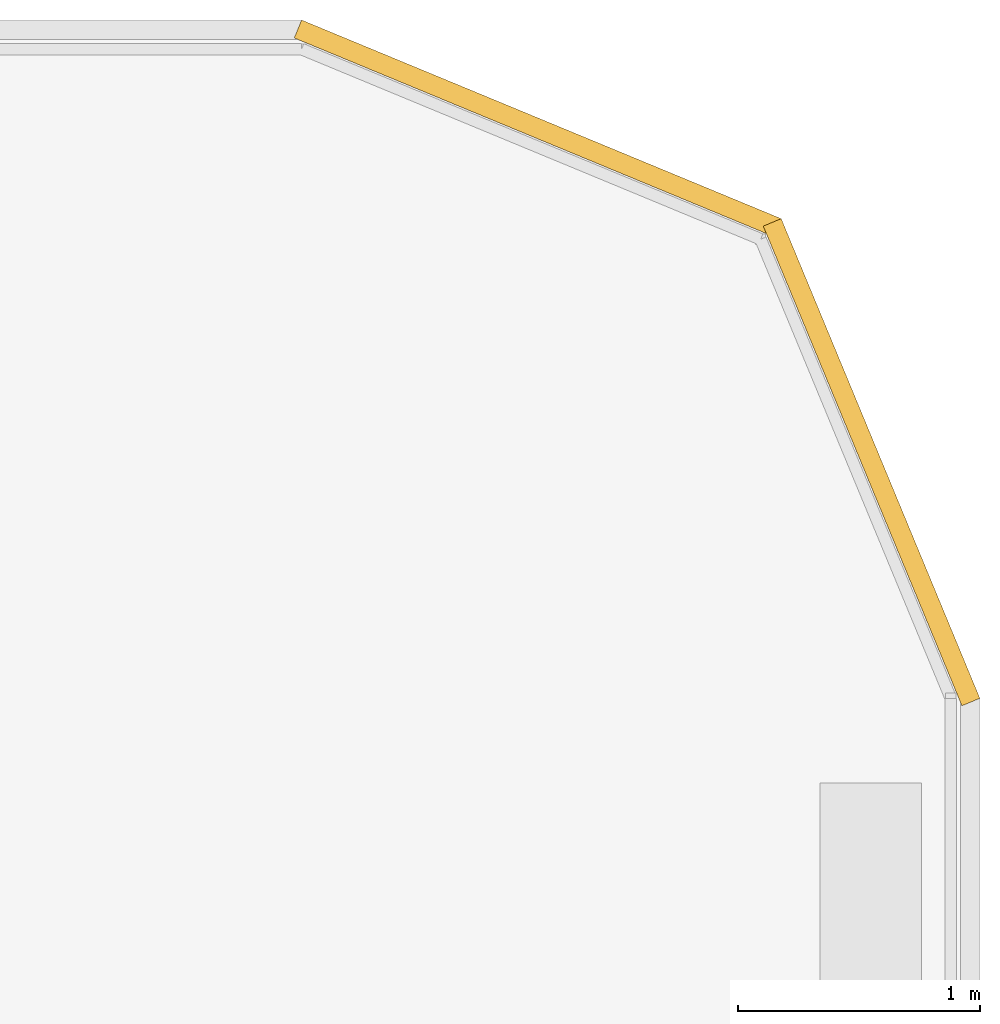
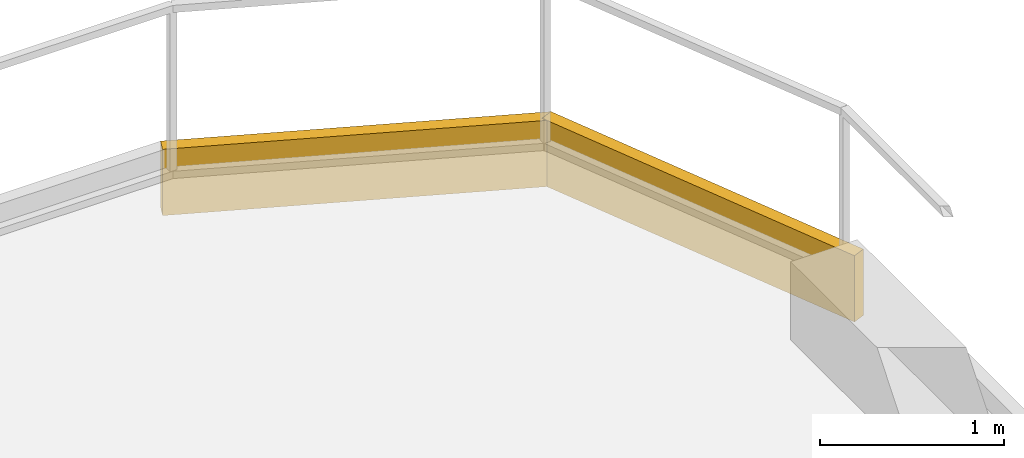
# One storey, part 15 of 15: 2 coverings.
"""IFC4 building model written with IfcOpenShell, lengths in metres."""

import ifcopenshell
import ifcopenshell.guid

model = None  # the IFC model being written
_history = None  # IfcOwnerHistory: only IFC2X3 demands one
_inside = {}  # id of a spatial element -> (the spatial element, [elements in it])
_under = {}  # id of a project, library or spatial element -> (it, [spatial elements below it])
_declared = {}  # id of a project -> (the project, [libraries it declares])
_typed = {}  # id of a type object -> (the type object, [elements of that type])
_made_of = {}  # id of a material, layer set ... -> (it, [elements and type objects made of it])


def new_model(schema):
    """Start an empty IFC model of exactly this schema.

    Asked for "IFC4X3", IfcOpenShell would pick the latest addendum, in which some entities
    have other attributes; the version numbers below select the first issue.
    IFC2X3 requires an IfcOwnerHistory on every rooted entity: one is made here for all.
    """
    global model, _history
    if schema == "IFC4X3":
        model = ifcopenshell.file(schema_version=(4, 3, 0, 0))
    else:
        model = ifcopenshell.file(schema=schema)
    _inside.clear()
    _under.clear()
    _declared.clear()
    _typed.clear()
    _made_of.clear()
    _history = None
    if model.schema == "IFC2X3":
        org = make("IfcOrganization", Name="unknown")
        user = make(
            "IfcPersonAndOrganization",
            ThePerson=make("IfcPerson", FamilyName="unknown"),
            TheOrganization=org,
        )
        app = make(
            "IfcApplication",
            ApplicationDeveloper=org,
            Version="unknown",
            ApplicationFullName="unknown",
            ApplicationIdentifier="unknown",
        )
        _history = make(
            "IfcOwnerHistory",
            OwningUser=user,
            OwningApplication=app,
            ChangeAction="ADDED",
            CreationDate=0,
        )
    return model


def make(cls, **values):
    """One entity of the class cls with the attributes given. An attribute that is None is left unset."""
    return model.create_entity(
        cls, **{name: value for name, value in values.items() if value is not None}
    )


def rooted(cls, **values):
    """An entity with a GlobalId (a new one), such as an element, a storey or a relation."""
    return make(cls, GlobalId=ifcopenshell.guid.new(), OwnerHistory=_history, **values)


def si_unit(unit_type, name, prefix=None):
    """IfcSIUnit, for example si_unit("LENGTHUNIT", "METRE", prefix="MILLI")."""
    return make("IfcSIUnit", UnitType=unit_type, Prefix=prefix, Name=name)


def assignment(units):
    """IfcUnitAssignment: the units of a project."""
    return None if units is None else make("IfcUnitAssignment", Units=units)


def point(xyz):
    """IfcCartesianPoint."""
    return None if xyz is None else make("IfcCartesianPoint", Coordinates=xyz)


def direction(xyz):
    """IfcDirection."""
    return None if xyz is None else make("IfcDirection", DirectionRatios=xyz)


def frame(location, z_axis=None, x_axis=None):
    """IfcAxis2Placement3D, a coordinate frame: its origin and axes. An axis left out is left unset."""
    return make(
        "IfcAxis2Placement3D",
        Location=point(location),
        Axis=direction(z_axis),
        RefDirection=direction(x_axis),
    )


def frame_2d(location, x_axis=None):
    """IfcAxis2Placement2D, a coordinate frame in the plane: its origin and x axis."""
    return make(
        "IfcAxis2Placement2D", Location=point(location), RefDirection=direction(x_axis)
    )


def origin():
    """The frame at (0, 0, 0) with its axes left unset."""
    return frame((0.0, 0.0, 0.0))


def place(relative_to, where):
    """IfcLocalPlacement: puts the frame where relative to a parent placement (None: the world)."""
    return make(
        "IfcLocalPlacement", PlacementRelTo=relative_to, RelativePlacement=where
    )


def context(
    kind, dimensions, precision=None, world=None, true_north=None, identifier=None
):
    """IfcGeometricRepresentationContext, for example the 3D "Model" context."""
    return make(
        "IfcGeometricRepresentationContext",
        ContextIdentifier=identifier,
        ContextType=kind,
        CoordinateSpaceDimension=dimensions,
        Precision=precision,
        WorldCoordinateSystem=world,
        TrueNorth=true_north,
    )


def subcontext(parent, identifier, kind, view, scale=None):
    """IfcGeometricRepresentationSubContext, for example "Body" below "Model"."""
    return make(
        "IfcGeometricRepresentationSubContext",
        ContextIdentifier=identifier,
        ContextType=kind,
        ParentContext=parent,
        TargetScale=scale,
        TargetView=view,
    )


def project(units=None, contexts=None):
    """IfcProject with its units and contexts."""
    return rooted(
        "IfcProject",
        Name="project",
        RepresentationContexts=contexts,
        UnitsInContext=assignment(units),
    )


def spatial(cls, under=None, at=None, **own):
    """A site, building, storey or space (cls), placed at a placement, below another one or the project."""
    s = rooted(cls, ObjectPlacement=at, **own)
    if under is not None:
        _under.setdefault(under.id(), (under, []))[1].append(s)
    return s


def profile(cls, at=None, kind="AREA", **sizes):
    """A parametric profile (cls). Its sizes go by their IFC names, for example OverallWidth=200.0."""
    return make(cls, ProfileType=kind, Position=at, **sizes)


def rectangle(**sizes):
    """IfcRectangleProfileDef."""
    return profile("IfcRectangleProfileDef", **sizes)


def extrude(swept, where, along, depth):
    """IfcExtrudedAreaSolid: the profile swept, set in the frame where, extruded along a direction by depth."""
    return make(
        "IfcExtrudedAreaSolid",
        SweptArea=swept,
        Position=where,
        ExtrudedDirection=direction(along),
        Depth=depth,
    )


def shape(context_of_items, identifier, shape_type, items):
    """IfcShapeRepresentation: the items that make up one representation, for example the "Body"."""
    return make(
        "IfcShapeRepresentation",
        ContextOfItems=context_of_items,
        RepresentationIdentifier=identifier,
        RepresentationType=shape_type,
        Items=items,
    )


def material(Name=None, Category=None):
    """IfcMaterial."""
    return make("IfcMaterial", Name=Name, Category=Category)


def layer(
    of_material, thickness, ventilated=None, Name=None, Category=None, Priority=None
):
    """IfcMaterialLayer: one layer of a wall or slab, of a material (None: an air gap)."""
    return make(
        "IfcMaterialLayer",
        Material=of_material,
        LayerThickness=thickness,
        IsVentilated=ventilated,
        Name=Name,
        Category=Category,
        Priority=Priority,
    )


def layer_set(layers, Name=None):
    """IfcMaterialLayerSet."""
    return make("IfcMaterialLayerSet", MaterialLayers=layers, LayerSetName=Name)


def made_of(thing, what):
    """Note that an element or type object is made of a material, layer set ...; save() writes the relation."""
    if what is not None:
        _made_of.setdefault(what.id(), (what, []))[1].append(thing)
    return thing


def type_object(cls, material=None, **own):
    """A type object (cls), such as IfcWallType, which elements share."""
    return made_of(rooted(cls, **own), material)


def element(
    cls,
    number,
    at=None,
    inside=None,
    cuts=None,
    type_object=None,
    material=None,
    context=None,
    identifier="Body",
    shape_type=None,
    held_by="IfcProductDefinitionShape",
    body=None,
    shapes=None,
    **own,
):
    """One element of the class cls, such as IfcWall. Its Tag is "e" and its number.

    at: its placement. inside: the storey or other place that contains it. cuts: it is an
    opening in that element (IfcRelVoidsElement). A single representation is given by context,
    identifier, shape_type and body (its items); several are given by shapes. held_by: the class
    of the entity that holds the representations. save() writes the other relations.
    """
    e = rooted(cls, Tag="e%d" % number, ObjectPlacement=at, **own)
    if body is not None:
        shapes = [shape(context, identifier, shape_type, body)]
    if shapes is not None:
        e.Representation = make(held_by, Representations=shapes)
    if inside is not None:
        _inside.setdefault(inside.id(), (inside, []))[1].append(e)
    if cuts is not None:
        rooted(
            "IfcRelVoidsElement", RelatingBuildingElement=cuts, RelatedOpeningElement=e
        )
    if type_object is not None:
        _typed.setdefault(type_object.id(), (type_object, []))[1].append(e)
    return made_of(e, material)


def aggregate(whole, parts):
    """IfcRelAggregates: a whole, such as a stair, and the parts it consists of."""
    return rooted("IfcRelAggregates", RelatingObject=whole, RelatedObjects=parts)


def save(model, path):
    """Write the relations noted so far, then the file.

    IfcRelAggregates (storeys below a building ...), IfcRelContainedInSpatialStructure (elements
    in a storey), IfcRelDefinesByType, IfcRelAssociatesMaterial and IfcRelDeclares: one each for
    every whole, place, type object, material and project.
    """
    for whole, parts in _under.values():
        aggregate(whole, parts)
    for where, things in _inside.values():
        rooted(
            "IfcRelContainedInSpatialStructure",
            RelatedElements=things,
            RelatingStructure=where,
        )
    for kind, things in _typed.values():
        rooted("IfcRelDefinesByType", RelatedObjects=things, RelatingType=kind)
    for what, things in _made_of.values():
        rooted("IfcRelAssociatesMaterial", RelatedObjects=things, RelatingMaterial=what)
    for by, libraries in _declared.values():
        rooted("IfcRelDeclares", RelatingContext=by, RelatedDefinitions=libraries)
    model.write(path)


model = new_model("IFC4")

# Units and contexts
model_context = context("Model", 3, precision=1e-05, world=origin(), true_north=direction((0.0, 1.0)))
body_context = subcontext(model_context, "Body", "Model", "MODEL_VIEW")
ifc_project = project(units=[si_unit("LENGTHUNIT", "METRE"), si_unit("AREAUNIT", "SQUARE_METRE"), si_unit("VOLUMEUNIT", "CUBIC_METRE"), si_unit("PLANEANGLEUNIT", "RADIAN"), si_unit("MASSUNIT", "GRAM", prefix="KILO")], contexts=[model_context])

# Site, building, storey
site_placement = place(None, origin())
site = spatial("IfcSite", under=ifc_project, at=site_placement, CompositionType="ELEMENT")
building_placement = place(site_placement, origin())
building = spatial("IfcBuilding", under=site, at=building_placement, Name="Zulmaris Gate Convention Tower", CompositionType="ELEMENT")
storey_placement = place(building_placement, frame((0.0, 0.0, 139.199951171875)))
storey = spatial("IfcBuildingStorey", under=building, at=storey_placement, Name="L35", CompositionType="ELEMENT", Elevation=139.199951171875)

# Coverings
ifc_material = material(Name="White Glazed Architectural Precast Concrete C40/50", Category="concrete")
ifc_layer = layer(ifc_material, 0.080078125, Name="White Glazed Architectural Precast Concrete C40/50")
ifc_layer_set = layer_set([ifc_layer], Name="White Glazed Architectural Precast Concrete C40/50")
covering_type = type_object("IfcCoveringType", Name="CLAD-TRAY-FASCIA", PredefinedType="CLADDING", material=ifc_layer_set)
covering_1_placement = place(storey_placement, frame((24.962890625, 24.484619140625, -0.2900390625), z_axis=(0.0, 0.0, 1.0), x_axis=(-0.382656984709, 0.923890487046, 0.0)))
element("IfcCovering", 1, at=covering_1_placement, inside=storey, type_object=covering_type, Name="FSC-L35-TR-06", PredefinedType="CLADDING", context=body_context, shape_type="SweptSolid", body=[
    extrude(rectangle(XDim=2.14306640625, YDim=0.080078125, at=frame_2d((1.071533203125, 0.0))), origin(), (0.0, 0.0, 1.0), 0.440185546875),
])
covering_2_placement = place(storey_placement, frame((24.16455078125, 26.44287109375, -0.2900390625), z_axis=(0.0, 0.0, 1.0), x_axis=(-0.923873803533, 0.382697263049, 0.0)))
element("IfcCovering", 2, at=covering_2_placement, inside=storey, type_object=covering_type, Name="FSC-L35-TR-07", PredefinedType="CLADDING", context=body_context, shape_type="SweptSolid", body=[
    extrude(rectangle(XDim=2.142822265625, YDim=0.080078125, at=frame_2d((1.0712890625, 0.0))), origin(), (0.0, 0.0, 1.0), 0.440185546875),
])

save(model, "model.ifc")
